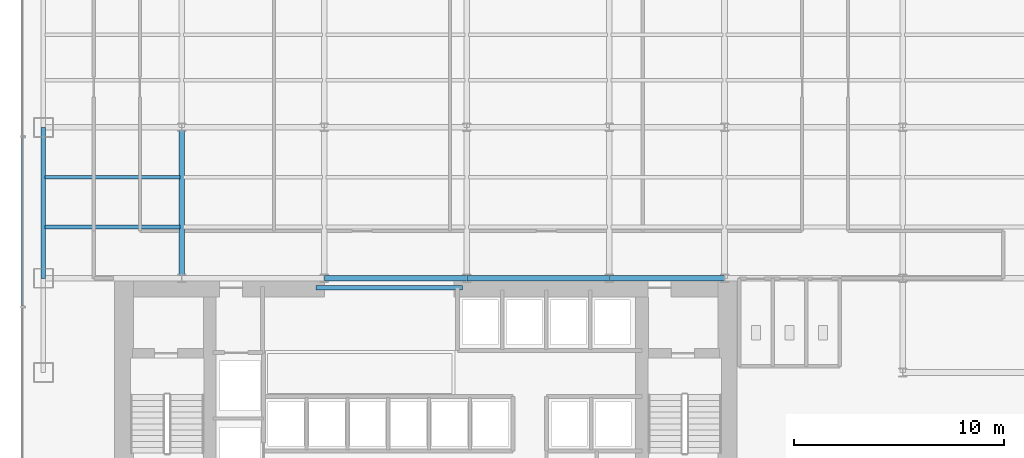
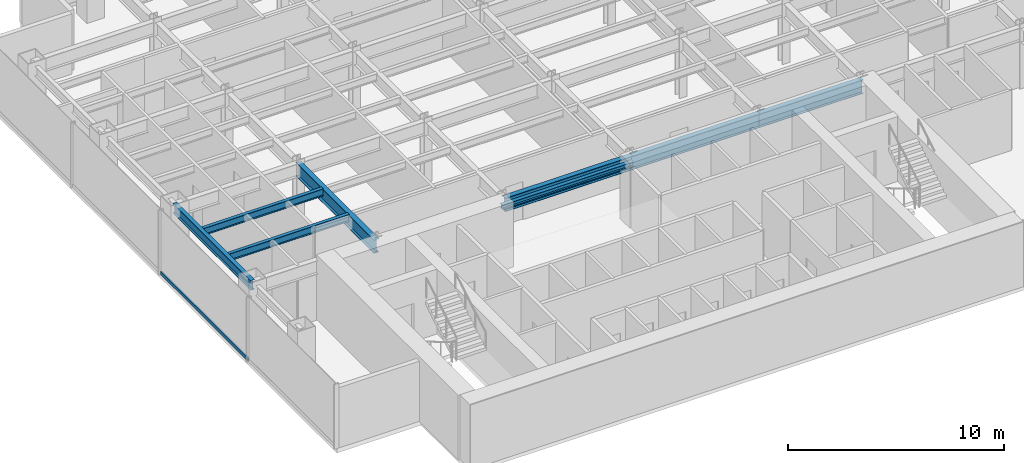
# One storey, part 3 of 22: 8 beams, 1 member, 1 element without a shape of its own.
"""IFC4 building model written with IfcOpenShell, lengths in metres."""

from ifc_helpers import new_model, si_unit, derived_unit, direction, frame, origin, origin_2d, place, context, subcontext, project, spatial, hollow_rectangle, i_section, extrude, source, transform, mapped, material, material_profile, profile_set, type_object, element, aggregate, save


model = new_model("IFC4")

# Units and contexts
model_context = context("Model", 3, precision=1e-05, world=origin(), true_north=direction((0.0, 1.0)))
body_context = subcontext(model_context, "Body", "Model", "MODEL_VIEW")
ifc_project = project(units=[si_unit("LENGTHUNIT", "METRE"), si_unit("AREAUNIT", "SQUARE_METRE"), si_unit("VOLUMEUNIT", "CUBIC_METRE"), si_unit("PLANEANGLEUNIT", "RADIAN"), si_unit("MASSUNIT", "GRAM", prefix="KILO"), derived_unit("THERMALTRANSMITTANCEUNIT", [(si_unit("POWERUNIT", "WATT"), 1), (si_unit("LENGTHUNIT", "METRE"), -2), (si_unit("THERMODYNAMICTEMPERATUREUNIT", "KELVIN"), -1)])], contexts=[model_context])

# Site, building, storey
site_placement = place(None, origin())
site = spatial("IfcSite", under=ifc_project, at=site_placement, CompositionType="ELEMENT")
building_placement = place(site_placement, origin())
building = spatial("IfcBuilding", under=site, at=building_placement, Name="Skarnbrae Concourse Arena and Tower", CompositionType="ELEMENT")
storey_placement = place(building_placement, frame((0.0, 0.0, 65.35009765625)))
storey = spatial("IfcBuildingStorey", under=building, at=storey_placement, Name="L15", CompositionType="ELEMENT", Elevation=65.35009765625)

# Beams
ifc_material_1 = material(Name="Steel CSA G40.21 350W", Category="steel")
ifc_material_profile_1 = material_profile(ifc_material_1, i_section(OverallWidth=0.202880859375, OverallDepth=0.251953125, WebThickness=0.008056640625, FlangeThickness=0.013427734375, at=origin_2d()), Name="W250X58")
ifc_profile_set_1 = profile_set([ifc_material_profile_1], Name="Steel CSA G40.21 350W")
beam_type_1 = type_object("IfcBeamType", Name="BM-LINTEL-W250X58", PredefinedType="LINTEL", material=ifc_profile_set_1)
shared_shape_1 = source(origin(), body_context, "Body", "SweptSolid", [
    extrude(i_section(OverallWidth=0.202880859375, OverallDepth=0.251953125, WebThickness=0.008056640625, FlangeThickness=0.013427734375, at=origin_2d()), origin(), (0.0, 0.0, 1.0), 7.0),
])
beam_1_placement = place(storey_placement, frame((14.0, 13.550048828125, 3.27392578125), z_axis=(1.0, 0.0, 0.0), x_axis=(0.0, 1.0, 0.0)))
element("IfcBeam", 1, at=beam_1_placement, inside=storey, type_object=beam_type_1, Name="L15 Core portal coupling lintel", PredefinedType="LINTEL", context=body_context, shape_type="MappedRepresentation", body=[
    mapped(shared_shape_1, transform((0.0, 0.0, 0.0))),
])
ifc_material_profile_2 = material_profile(ifc_material_1, i_section(OverallWidth=0.26806640625, OverallDepth=0.77001953125, WebThickness=0.015625, FlangeThickness=0.025390625, at=origin_2d()), Name="W760X196")
ifc_profile_set_2 = profile_set([ifc_material_profile_2], Name="Steel CSA G40.21 350W")
beam_type_2 = type_object("IfcBeamType", Name="BM-GIRD-W760X196", PredefinedType="BEAM", material=ifc_profile_set_2)
shared_shape_2 = source(origin(), body_context, "Body", "SweptSolid", [
    extrude(i_section(OverallWidth=0.26806640625, OverallDepth=0.77001953125, WebThickness=0.015625, FlangeThickness=0.025390625, at=origin_2d()), origin(), (0.0, 0.0, 1.0), 6.800048828125),
])
for number, where, z_axis, x_axis, name in (
    (2, (14.39990234375, 14.0, 3.014892578125), (1.0, 0.0, 0.0), (0.0, 1.0, 0.0), "L15 Primary E-W girder Y14.0-3"),
    (3, (21.199951171875, 14.0, 3.014892578125), (1.0, 0.0, 0.0), (0.0, 1.0, 0.0), "L15 Primary E-W girder Y14.0-4"),
):
    element("IfcBeam", number, at=place(storey_placement, frame(where, z_axis=z_axis, x_axis=x_axis)), inside=storey, type_object=beam_type_2, Name=name, PredefinedType="BEAM", context=body_context, shape_type="MappedRepresentation", body=[
        mapped(shared_shape_2, transform((0.0, 0.0, 0.0))),
    ])
shared_shape_3 = source(origin(), body_context, "Body", "SweptSolid", [
    extrude(i_section(OverallWidth=0.26806640625, OverallDepth=0.77001953125, WebThickness=0.015625, FlangeThickness=0.025390625, at=origin_2d()), origin(), (0.0, 0.0, 1.0), 5.5),
])
beam_2_placement = place(storey_placement, frame((28.0, 14.0, 3.014892578125), z_axis=(1.0, 0.0, 0.0), x_axis=(0.0, 1.0, 0.0)))
element("IfcBeam", 4, at=beam_2_placement, inside=storey, type_object=beam_type_2, Name="L15 Primary E-W girder Y14.0-5", PredefinedType="BEAM", context=body_context, shape_type="MappedRepresentation", body=[
    mapped(shared_shape_3, transform((0.0, 0.0, 0.0))),
])
ifc_material_profile_3 = material_profile(ifc_material_1, i_section(OverallWidth=0.214111328125, OverallDepth=0.549072265625, WebThickness=0.0146484375, FlangeThickness=0.023681640625, at=origin_2d()), Name="W530X138")
ifc_profile_set_3 = profile_set([ifc_material_profile_3], Name="Steel CSA G40.21 350W")
beam_type_3 = type_object("IfcBeamType", Name="BM-SPAN-W530X138", PredefinedType="SPANDREL", material=ifc_profile_set_3)
shared_shape_4 = source(origin(), body_context, "Body", "SweptSolid", [
    extrude(i_section(OverallWidth=0.214111328125, OverallDepth=0.549072265625, WebThickness=0.0146484375, FlangeThickness=0.023681640625, at=origin_2d()), origin(), (0.0, 0.0, 1.0), 7.199951171875),
])
beam_3_placement = place(storey_placement, frame((1.0, 14.0, 3.12548828125), z_axis=(0.0, 1.0, 0.0), x_axis=(-1.0, 0.0, 0.0)))
element("IfcBeam", 5, at=beam_3_placement, inside=storey, type_object=beam_type_3, Name="L15 Perimeter spandrel X1.0-2", PredefinedType="SPANDREL", context=body_context, shape_type="MappedRepresentation", body=[
    mapped(shared_shape_4, transform((0.0, 0.0, 0.0))),
])
shared_shape_5 = source(origin(), body_context, "Body", "SweptSolid", [
    extrude(i_section(OverallWidth=0.26806640625, OverallDepth=0.77001953125, WebThickness=0.015625, FlangeThickness=0.025390625, at=origin_2d()), origin(), (0.0, 0.0, 1.0), 7.199951171875),
])
beam_4_placement = place(storey_placement, frame((7.60009765625, 14.0, 3.014892578125), z_axis=(0.0, 1.0, 0.0), x_axis=(-1.0, 0.0, 0.0)))
element("IfcBeam", 6, at=beam_4_placement, inside=storey, type_object=beam_type_2, Name="L15 Primary N-S girder X7.6-1", PredefinedType="BEAM", context=body_context, shape_type="MappedRepresentation", body=[
    mapped(shared_shape_5, transform((0.0, 0.0, 0.0))),
])
ifc_material_profile_4 = material_profile(ifc_material_1, i_section(OverallWidth=0.180908203125, OverallDepth=0.4169921875, WebThickness=0.010986328125, FlangeThickness=0.018310546875, at=origin_2d()), Name="W410X85")
ifc_profile_set_4 = profile_set([ifc_material_profile_4], Name="Steel CSA G40.21 350W")
beam_type_4 = type_object("IfcBeamType", Name="BM-JOIST-W410X85", PredefinedType="JOIST", material=ifc_profile_set_4)
shared_shape_6 = source(origin(), body_context, "Body", "SweptSolid", [
    extrude(i_section(OverallWidth=0.180908203125, OverallDepth=0.4169921875, WebThickness=0.010986328125, FlangeThickness=0.018310546875, at=origin_2d()), origin(), (0.0, 0.0, 1.0), 6.43994140625),
])
for number, where, z_axis, x_axis, name in (
    (7, (1.080078125, 16.447998046875, 3.19140625), (1.0, 0.0, 0.0), (0.0, 1.0, 0.0), "L15 Secondary floor joist 1.1.1"),
    (8, (1.080078125, 18.823974609375, 3.19140625), (1.0, 0.0, 0.0), (0.0, 1.0, 0.0), "L15 Secondary floor joist 1.2.1"),
):
    element("IfcBeam", number, at=place(storey_placement, frame(where, z_axis=z_axis, x_axis=x_axis)), inside=storey, type_object=beam_type_4, Name=name, PredefinedType="JOIST", context=body_context, shape_type="MappedRepresentation", body=[
        mapped(shared_shape_6, transform((0.0, 0.0, 0.0))),
    ])

# Curtain wall, member
ifc_material_2 = material(Name="Bronze anodised aluminium 6063-T6", Category="aluminium")
curtain_wall_type = type_object("IfcCurtainWallType", Name="CW-SYS-02-LOWZONE", PredefinedType="USERDEFINED", material=ifc_material_2)
curtain_wall_placement = place(storey_placement, origin())
curtain_wall = element("IfcCurtainWall", 9, at=curtain_wall_placement, inside=storey, type_object=curtain_wall_type, Name="L15 Unitised curtain wall CW-L15-E19", ObjectType="UNITISED CURTAIN WALL", PredefinedType="USERDEFINED")
ifc_material_profile_5 = material_profile(ifc_material_2, hollow_rectangle(XDim=0.080078125, YDim=0.18994140625, WallThickness=0.0048828125, at=origin_2d()), Name="ALU-TRAN-80X190")
ifc_profile_set_5 = profile_set([ifc_material_profile_5], Name="Bronze anodised aluminium 6063-T6")
member_type = type_object("IfcMemberType", Name="CWT-CW-02", PredefinedType="USERDEFINED", material=ifc_profile_set_5)
shared_shape_7 = source(origin(), body_context, "Body", "SweptSolid", [
    extrude(hollow_rectangle(XDim=0.080078125, YDim=0.18994140625, WallThickness=0.0048828125, at=origin_2d()), origin(), (0.0, 0.0, 1.0), 8.044921875),
])
member_placement = place(storey_placement, frame((0.0, 20.7099609375, 0.094970703125), z_axis=(0.0, -1.0, 0.0), x_axis=(1.0, 0.0, 0.0)))
member = element("IfcMember", 10, at=member_placement, type_object=member_type, Name="CW-L15-E19 Transom 3", ObjectType="TRANSOM", PredefinedType="USERDEFINED", context=body_context, shape_type="MappedRepresentation", body=[
    mapped(shared_shape_7, transform((0.0, 0.0, 0.0))),
])
aggregate(curtain_wall, [member])

save(model, "model.ifc")
